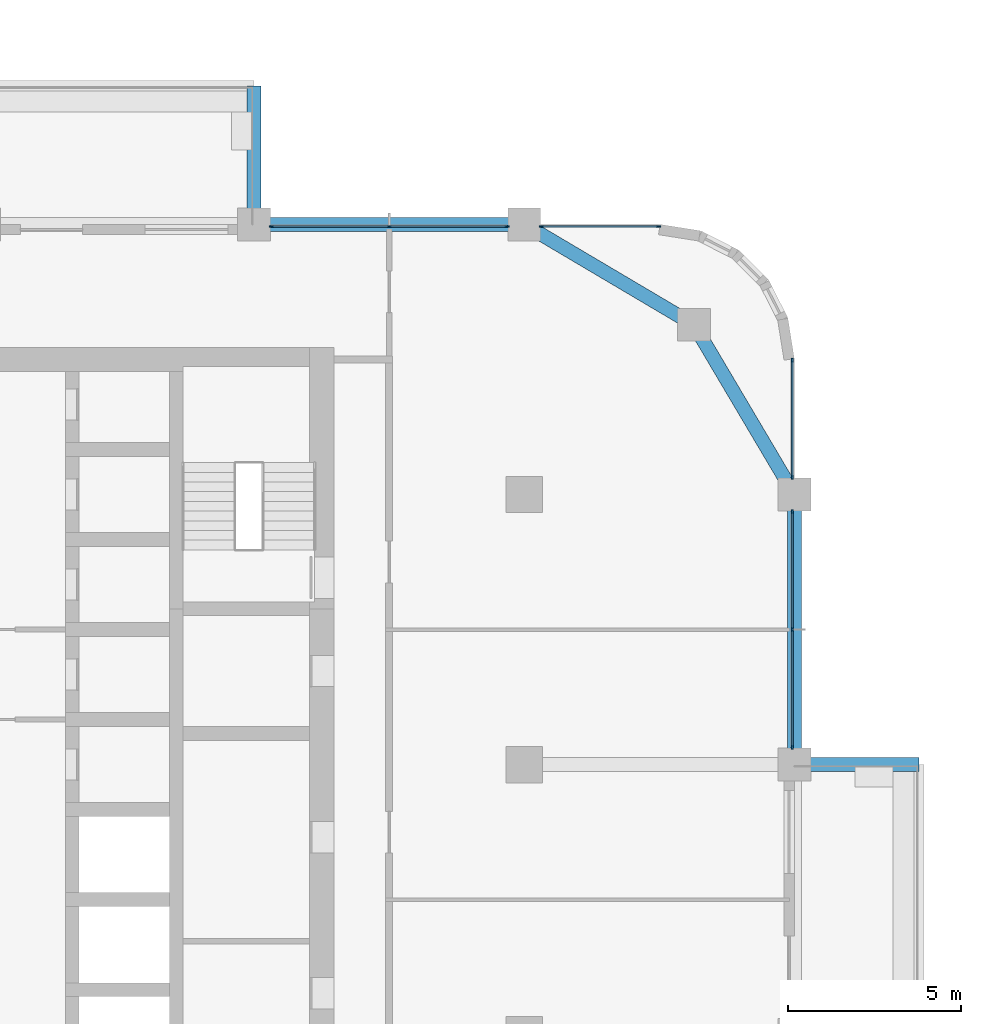
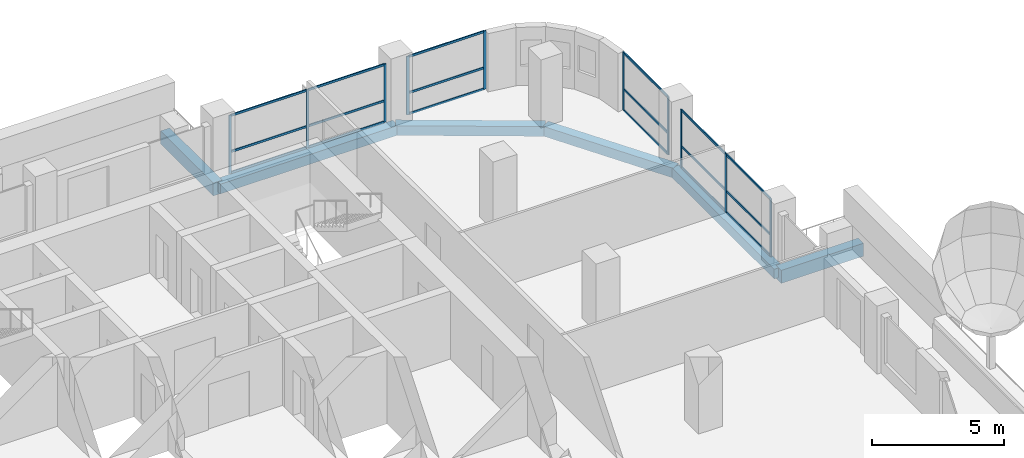
# One storey, part 8 of 21: 28 members, 6 beams, 4 elements without a shape of their own.
"""IFC4 building model written with IfcOpenShell, lengths in metres."""

import ifcopenshell
import ifcopenshell.guid

model = None  # the IFC model being written
_history = None  # IfcOwnerHistory: only IFC2X3 demands one
_inside = {}  # id of a spatial element -> (the spatial element, [elements in it])
_under = {}  # id of a project, library or spatial element -> (it, [spatial elements below it])
_declared = {}  # id of a project -> (the project, [libraries it declares])
_typed = {}  # id of a type object -> (the type object, [elements of that type])
_made_of = {}  # id of a material, layer set ... -> (it, [elements and type objects made of it])


def new_model(schema):
    """Start an empty IFC model of exactly this schema.

    Asked for "IFC4X3", IfcOpenShell would pick the latest addendum, in which some entities
    have other attributes; the version numbers below select the first issue.
    IFC2X3 requires an IfcOwnerHistory on every rooted entity: one is made here for all.
    """
    global model, _history
    if schema == "IFC4X3":
        model = ifcopenshell.file(schema_version=(4, 3, 0, 0))
    else:
        model = ifcopenshell.file(schema=schema)
    _inside.clear()
    _under.clear()
    _declared.clear()
    _typed.clear()
    _made_of.clear()
    _history = None
    if model.schema == "IFC2X3":
        org = make("IfcOrganization", Name="unknown")
        user = make(
            "IfcPersonAndOrganization",
            ThePerson=make("IfcPerson", FamilyName="unknown"),
            TheOrganization=org,
        )
        app = make(
            "IfcApplication",
            ApplicationDeveloper=org,
            Version="unknown",
            ApplicationFullName="unknown",
            ApplicationIdentifier="unknown",
        )
        _history = make(
            "IfcOwnerHistory",
            OwningUser=user,
            OwningApplication=app,
            ChangeAction="ADDED",
            CreationDate=0,
        )
    return model


def make(cls, **values):
    """One entity of the class cls with the attributes given. An attribute that is None is left unset."""
    return model.create_entity(
        cls, **{name: value for name, value in values.items() if value is not None}
    )


def rooted(cls, **values):
    """An entity with a GlobalId (a new one), such as an element, a storey or a relation."""
    return make(cls, GlobalId=ifcopenshell.guid.new(), OwnerHistory=_history, **values)


def si_unit(unit_type, name, prefix=None):
    """IfcSIUnit, for example si_unit("LENGTHUNIT", "METRE", prefix="MILLI")."""
    return make("IfcSIUnit", UnitType=unit_type, Prefix=prefix, Name=name)


def assignment(units):
    """IfcUnitAssignment: the units of a project."""
    return None if units is None else make("IfcUnitAssignment", Units=units)


def point(xyz):
    """IfcCartesianPoint."""
    return None if xyz is None else make("IfcCartesianPoint", Coordinates=xyz)


def direction(xyz):
    """IfcDirection."""
    return None if xyz is None else make("IfcDirection", DirectionRatios=xyz)


def frame(location, z_axis=None, x_axis=None):
    """IfcAxis2Placement3D, a coordinate frame: its origin and axes. An axis left out is left unset."""
    return make(
        "IfcAxis2Placement3D",
        Location=point(location),
        Axis=direction(z_axis),
        RefDirection=direction(x_axis),
    )


def frame_2d(location, x_axis=None):
    """IfcAxis2Placement2D, a coordinate frame in the plane: its origin and x axis."""
    return make(
        "IfcAxis2Placement2D", Location=point(location), RefDirection=direction(x_axis)
    )


def origin():
    """The frame at (0, 0, 0) with its axes left unset."""
    return frame((0.0, 0.0, 0.0))


def origin_2d():
    """The frame at (0, 0) in the plane with its x axis left unset."""
    return frame_2d((0.0, 0.0))


def place(relative_to, where):
    """IfcLocalPlacement: puts the frame where relative to a parent placement (None: the world)."""
    return make(
        "IfcLocalPlacement", PlacementRelTo=relative_to, RelativePlacement=where
    )


def context(
    kind, dimensions, precision=None, world=None, true_north=None, identifier=None
):
    """IfcGeometricRepresentationContext, for example the 3D "Model" context."""
    return make(
        "IfcGeometricRepresentationContext",
        ContextIdentifier=identifier,
        ContextType=kind,
        CoordinateSpaceDimension=dimensions,
        Precision=precision,
        WorldCoordinateSystem=world,
        TrueNorth=true_north,
    )


def subcontext(parent, identifier, kind, view, scale=None):
    """IfcGeometricRepresentationSubContext, for example "Body" below "Model"."""
    return make(
        "IfcGeometricRepresentationSubContext",
        ContextIdentifier=identifier,
        ContextType=kind,
        ParentContext=parent,
        TargetScale=scale,
        TargetView=view,
    )


def project(units=None, contexts=None):
    """IfcProject with its units and contexts."""
    return rooted(
        "IfcProject",
        Name="project",
        RepresentationContexts=contexts,
        UnitsInContext=assignment(units),
    )


def spatial(cls, under=None, at=None, **own):
    """A site, building, storey or space (cls), placed at a placement, below another one or the project."""
    s = rooted(cls, ObjectPlacement=at, **own)
    if under is not None:
        _under.setdefault(under.id(), (under, []))[1].append(s)
    return s


def profile(cls, at=None, kind="AREA", **sizes):
    """A parametric profile (cls). Its sizes go by their IFC names, for example OverallWidth=200.0."""
    return make(cls, ProfileType=kind, Position=at, **sizes)


def rectangle(**sizes):
    """IfcRectangleProfileDef."""
    return profile("IfcRectangleProfileDef", **sizes)


def extrude(swept, where, along, depth):
    """IfcExtrudedAreaSolid: the profile swept, set in the frame where, extruded along a direction by depth."""
    return make(
        "IfcExtrudedAreaSolid",
        SweptArea=swept,
        Position=where,
        ExtrudedDirection=direction(along),
        Depth=depth,
    )


def shape(context_of_items, identifier, shape_type, items):
    """IfcShapeRepresentation: the items that make up one representation, for example the "Body"."""
    return make(
        "IfcShapeRepresentation",
        ContextOfItems=context_of_items,
        RepresentationIdentifier=identifier,
        RepresentationType=shape_type,
        Items=items,
    )


def material(Name=None, Category=None):
    """IfcMaterial."""
    return make("IfcMaterial", Name=Name, Category=Category)


def material_profile(
    of_material, cross_section, Name=None, Category=None, Priority=None
):
    """IfcMaterialProfile: a cross section and its material."""
    return make(
        "IfcMaterialProfile",
        Name=Name,
        Material=of_material,
        Profile=cross_section,
        Priority=Priority,
        Category=Category,
    )


def profile_set(profiles, Name=None, composite=None):
    """IfcMaterialProfileSet."""
    return make(
        "IfcMaterialProfileSet",
        Name=Name,
        MaterialProfiles=profiles,
        CompositeProfile=composite,
    )


def made_of(thing, what):
    """Note that an element or type object is made of a material, layer set ...; save() writes the relation."""
    if what is not None:
        _made_of.setdefault(what.id(), (what, []))[1].append(thing)
    return thing


def type_object(cls, material=None, **own):
    """A type object (cls), such as IfcWallType, which elements share."""
    return made_of(rooted(cls, **own), material)


def element(
    cls,
    number,
    at=None,
    inside=None,
    cuts=None,
    type_object=None,
    material=None,
    context=None,
    identifier="Body",
    shape_type=None,
    held_by="IfcProductDefinitionShape",
    body=None,
    shapes=None,
    **own,
):
    """One element of the class cls, such as IfcWall. Its Tag is "e" and its number.

    at: its placement. inside: the storey or other place that contains it. cuts: it is an
    opening in that element (IfcRelVoidsElement). A single representation is given by context,
    identifier, shape_type and body (its items); several are given by shapes. held_by: the class
    of the entity that holds the representations. save() writes the other relations.
    """
    e = rooted(cls, Tag="e%d" % number, ObjectPlacement=at, **own)
    if body is not None:
        shapes = [shape(context, identifier, shape_type, body)]
    if shapes is not None:
        e.Representation = make(held_by, Representations=shapes)
    if inside is not None:
        _inside.setdefault(inside.id(), (inside, []))[1].append(e)
    if cuts is not None:
        rooted(
            "IfcRelVoidsElement", RelatingBuildingElement=cuts, RelatedOpeningElement=e
        )
    if type_object is not None:
        _typed.setdefault(type_object.id(), (type_object, []))[1].append(e)
    return made_of(e, material)


def aggregate(whole, parts):
    """IfcRelAggregates: a whole, such as a stair, and the parts it consists of."""
    return rooted("IfcRelAggregates", RelatingObject=whole, RelatedObjects=parts)


def save(model, path):
    """Write the relations noted so far, then the file.

    IfcRelAggregates (storeys below a building ...), IfcRelContainedInSpatialStructure (elements
    in a storey), IfcRelDefinesByType, IfcRelAssociatesMaterial and IfcRelDeclares: one each for
    every whole, place, type object, material and project.
    """
    for whole, parts in _under.values():
        aggregate(whole, parts)
    for where, things in _inside.values():
        rooted(
            "IfcRelContainedInSpatialStructure",
            RelatedElements=things,
            RelatingStructure=where,
        )
    for kind, things in _typed.values():
        rooted("IfcRelDefinesByType", RelatedObjects=things, RelatingType=kind)
    for what, things in _made_of.values():
        rooted("IfcRelAssociatesMaterial", RelatedObjects=things, RelatingMaterial=what)
    for by, libraries in _declared.values():
        rooted("IfcRelDeclares", RelatingContext=by, RelatedDefinitions=libraries)
    model.write(path)


model = new_model("IFC4")

# Units and contexts
model_context = context("Model", 3, precision=1e-05, world=origin(), true_north=direction((0.0, 1.0)))
body_context = subcontext(model_context, "Body", "Model", "MODEL_VIEW")
ifc_project = project(units=[si_unit("LENGTHUNIT", "METRE"), si_unit("AREAUNIT", "SQUARE_METRE"), si_unit("VOLUMEUNIT", "CUBIC_METRE"), si_unit("PLANEANGLEUNIT", "RADIAN"), si_unit("MASSUNIT", "GRAM", prefix="KILO")], contexts=[model_context])

# Site, building, storey
site_placement = place(None, origin())
site = spatial("IfcSite", under=ifc_project, at=site_placement, CompositionType="ELEMENT")
building_placement = place(site_placement, origin())
building = spatial("IfcBuilding", under=site, at=building_placement, Name="Ludao Terraces", CompositionType="ELEMENT")
storey_placement = place(building_placement, frame((0.0, 0.0, 71.60009765625)))
storey = spatial("IfcBuildingStorey", under=building, at=storey_placement, Name="L19", CompositionType="ELEMENT", Elevation=71.60009765625)

# Curtain wall, members
ifc_material_1 = material(Name="Aluminium curtain wall with fritted glass", Category="aluminium")
curtain_wall_type = type_object("IfcCurtainWallType", Name="ENV CW3 community glazing", PredefinedType="NOTDEFINED", material=ifc_material_1)
curtain_wall_1_placement = place(storey_placement, origin())
curtain_wall_1 = element("IfcCurtainWall", 1, at=curtain_wall_1_placement, inside=storey, type_object=curtain_wall_type, Name="Community floor glazing L19 E5", PredefinedType="NOTDEFINED")
ifc_material_2 = material(Name="Aluminium 6063-T6", Category="aluminium")
ifc_material_profile_1 = material_profile(ifc_material_2, rectangle(XDim=0.050048828125, YDim=0.1201171875, at=origin_2d()), Name="50 X 120")
ifc_profile_set_1 = profile_set([ifc_material_profile_1], Name="Aluminium 6063-T6")
member_type_1 = type_object("IfcMemberType", Name="ENV CW3 mullion 50x120", PredefinedType="MULLION", material=ifc_profile_set_1)
member_1_placement = place(storey_placement, frame((108.340087890625, 73.300048828125, 0.0), z_axis=(0.0, 0.0, 1.0), x_axis=(-1.0, 0.0, 0.0)))
member_1 = element("IfcMember", 2, at=member_1_placement, type_object=member_type_1, Name="CW3 mullion 1", PredefinedType="MULLION", context=body_context, shape_type="SweptSolid", body=[
    extrude(rectangle(XDim=0.050048828125, YDim=0.1201171875, at=origin_2d()), origin(), (0.0, 0.0, 1.0), 2.699951171875),
])
member_2_placement = place(storey_placement, frame((108.340087890625, 76.699951171875, 0.0), z_axis=(0.0, 0.0, 1.0), x_axis=(-1.0, 0.0, 0.0)))
member_2 = element("IfcMember", 3, at=member_2_placement, type_object=member_type_1, Name="CW3 mullion 2", PredefinedType="MULLION", context=body_context, shape_type="SweptSolid", body=[
    extrude(rectangle(XDim=0.050048828125, YDim=0.1201171875, at=origin_2d()), origin(), (0.0, 0.0, 1.0), 2.699951171875),
])
member_3_placement = place(storey_placement, frame((108.340087890625, 80.10009765625, 0.0), z_axis=(0.0, 0.0, 1.0), x_axis=(-1.0, 0.0, 0.0)))
member_3 = element("IfcMember", 4, at=member_3_placement, type_object=member_type_1, Name="CW3 mullion 3", PredefinedType="MULLION", context=body_context, shape_type="SweptSolid", body=[
    extrude(rectangle(XDim=0.050048828125, YDim=0.1201171875, at=origin_2d()), origin(), (0.0, 0.0, 1.0), 2.699951171875),
])

curtain_wall_2_placement = place(storey_placement, origin())
curtain_wall_2 = element("IfcCurtainWall", 5, at=curtain_wall_2_placement, inside=storey, type_object=curtain_wall_type, Name="Community floor glazing L19 E6", PredefinedType="NOTDEFINED")
member_4_placement = place(storey_placement, frame((108.340087890625, 81.10009765625, 0.0), z_axis=(0.0, 0.0, 1.0), x_axis=(-1.0, 0.0, 0.0)))
member_4 = element("IfcMember", 6, at=member_4_placement, type_object=member_type_1, Name="CW3 mullion 1", PredefinedType="MULLION", context=body_context, shape_type="SweptSolid", body=[
    extrude(rectangle(XDim=0.050048828125, YDim=0.1201171875, at=origin_2d()), origin(), (0.0, 0.0, 1.0), 2.699951171875),
])
member_5_placement = place(storey_placement, frame((108.340087890625, 84.47509765625, 0.0), z_axis=(0.0, 0.0, 1.0), x_axis=(-1.0, 0.0, 0.0)))
member_5 = element("IfcMember", 7, at=member_5_placement, type_object=member_type_1, Name="CW3 mullion 2", PredefinedType="MULLION", context=body_context, shape_type="SweptSolid", body=[
    extrude(rectangle(XDim=0.050048828125, YDim=0.1201171875, at=origin_2d()), origin(), (0.0, 0.0, 1.0), 2.699951171875),
])

curtain_wall_3_placement = place(storey_placement, origin())
curtain_wall_3 = element("IfcCurtainWall", 8, at=curtain_wall_3_placement, inside=storey, type_object=curtain_wall_type, Name="Community floor glazing L19 N5", PredefinedType="NOTDEFINED")
member_6_placement = place(storey_placement, frame((93.300048828125, 88.340087890625, 0.0), z_axis=(0.0, 0.0, 1.0), x_axis=(0.0, 1.0, 0.0)))
member_6 = element("IfcMember", 9, at=member_6_placement, type_object=member_type_1, Name="CW3 mullion 1", PredefinedType="MULLION", context=body_context, shape_type="SweptSolid", body=[
    extrude(rectangle(XDim=0.050048828125, YDim=0.1201171875, at=origin_2d()), origin(), (0.0, 0.0, 1.0), 2.699951171875),
])
member_7_placement = place(storey_placement, frame((96.699951171875, 88.340087890625, 0.0), z_axis=(0.0, 0.0, 1.0), x_axis=(0.0, 1.0, 0.0)))
member_7 = element("IfcMember", 10, at=member_7_placement, type_object=member_type_1, Name="CW3 mullion 2", PredefinedType="MULLION", context=body_context, shape_type="SweptSolid", body=[
    extrude(rectangle(XDim=0.050048828125, YDim=0.1201171875, at=origin_2d()), origin(), (0.0, 0.0, 1.0), 2.699951171875),
])
member_8_placement = place(storey_placement, frame((100.10009765625, 88.340087890625, 0.0), z_axis=(0.0, 0.0, 1.0), x_axis=(0.0, 1.0, 0.0)))
member_8 = element("IfcMember", 11, at=member_8_placement, type_object=member_type_1, Name="CW3 mullion 3", PredefinedType="MULLION", context=body_context, shape_type="SweptSolid", body=[
    extrude(rectangle(XDim=0.050048828125, YDim=0.1201171875, at=origin_2d()), origin(), (0.0, 0.0, 1.0), 2.699951171875),
])

curtain_wall_4_placement = place(storey_placement, origin())
curtain_wall_4 = element("IfcCurtainWall", 12, at=curtain_wall_4_placement, inside=storey, type_object=curtain_wall_type, Name="Community floor glazing L19 N6", PredefinedType="NOTDEFINED")
member_9_placement = place(storey_placement, frame((101.10009765625, 88.340087890625, 0.0), z_axis=(0.0, 0.0, 1.0), x_axis=(0.0, 1.0, 0.0)))
member_9 = element("IfcMember", 13, at=member_9_placement, type_object=member_type_1, Name="CW3 mullion 1", PredefinedType="MULLION", context=body_context, shape_type="SweptSolid", body=[
    extrude(rectangle(XDim=0.050048828125, YDim=0.1201171875, at=origin_2d()), origin(), (0.0, 0.0, 1.0), 2.699951171875),
])
member_10_placement = place(storey_placement, frame((104.47509765625, 88.340087890625, 0.0), z_axis=(0.0, 0.0, 1.0), x_axis=(0.0, 1.0, 0.0)))
member_10 = element("IfcMember", 14, at=member_10_placement, type_object=member_type_1, Name="CW3 mullion 2", PredefinedType="MULLION", context=body_context, shape_type="SweptSolid", body=[
    extrude(rectangle(XDim=0.050048828125, YDim=0.1201171875, at=origin_2d()), origin(), (0.0, 0.0, 1.0), 2.699951171875),
])

# Member
ifc_material_profile_2 = material_profile(ifc_material_2, rectangle(XDim=0.050048828125, YDim=0.10009765625, at=origin_2d()), Name="50 X 100")
ifc_profile_set_2 = profile_set([ifc_material_profile_2], Name="Aluminium 6063-T6")
member_type_2 = type_object("IfcMemberType", Name="ENV CW3 transom 50x100", PredefinedType="USERDEFINED", material=ifc_profile_set_2)
member_11_placement = place(storey_placement, frame((108.340087890625, 73.324951171875, 0.02490234375), z_axis=(0.0, 1.0, 0.0), x_axis=(-1.0, 0.0, 0.0)))
member_11 = element("IfcMember", 15, at=member_11_placement, type_object=member_type_2, Name="CW3 transom 1.1", ObjectType="TRANSOM", PredefinedType="USERDEFINED", context=body_context, shape_type="SweptSolid", body=[
    extrude(rectangle(XDim=0.050048828125, YDim=0.10009765625, at=origin_2d()), origin(), (0.0, 0.0, 1.0), 3.35009765625),
])

member_12_placement = place(storey_placement, frame((108.340087890625, 73.324951171875, 1.0), z_axis=(0.0, 1.0, 0.0), x_axis=(-1.0, 0.0, 0.0)))
member_12 = element("IfcMember", 16, at=member_12_placement, type_object=member_type_2, Name="CW3 transom 1.2", ObjectType="TRANSOM", PredefinedType="USERDEFINED", context=body_context, shape_type="SweptSolid", body=[
    extrude(rectangle(XDim=0.050048828125, YDim=0.10009765625, at=origin_2d()), origin(), (0.0, 0.0, 1.0), 3.35009765625),
])

member_13_placement = place(storey_placement, frame((108.340087890625, 73.324951171875, 2.6748046875), z_axis=(0.0, 1.0, 0.0), x_axis=(-1.0, 0.0, 0.0)))
member_13 = element("IfcMember", 17, at=member_13_placement, type_object=member_type_2, Name="CW3 transom 1.3", ObjectType="TRANSOM", PredefinedType="USERDEFINED", context=body_context, shape_type="SweptSolid", body=[
    extrude(rectangle(XDim=0.050048828125, YDim=0.10009765625, at=origin_2d()), origin(), (0.0, 0.0, 1.0), 3.35009765625),
])

member_14_placement = place(storey_placement, frame((108.340087890625, 76.72509765625, 0.02490234375), z_axis=(0.0, 1.0, 0.0), x_axis=(-1.0, 0.0, 0.0)))
member_14 = element("IfcMember", 18, at=member_14_placement, type_object=member_type_2, Name="CW3 transom 2.1", ObjectType="TRANSOM", PredefinedType="USERDEFINED", context=body_context, shape_type="SweptSolid", body=[
    extrude(rectangle(XDim=0.050048828125, YDim=0.10009765625, at=origin_2d()), origin(), (0.0, 0.0, 1.0), 3.349853515625),
])

member_15_placement = place(storey_placement, frame((108.340087890625, 76.72509765625, 1.0), z_axis=(0.0, 1.0, 0.0), x_axis=(-1.0, 0.0, 0.0)))
member_15 = element("IfcMember", 19, at=member_15_placement, type_object=member_type_2, Name="CW3 transom 2.2", ObjectType="TRANSOM", PredefinedType="USERDEFINED", context=body_context, shape_type="SweptSolid", body=[
    extrude(rectangle(XDim=0.050048828125, YDim=0.10009765625, at=origin_2d()), origin(), (0.0, 0.0, 1.0), 3.349853515625),
])

member_16_placement = place(storey_placement, frame((108.340087890625, 76.72509765625, 2.6748046875), z_axis=(0.0, 1.0, 0.0), x_axis=(-1.0, 0.0, 0.0)))
member_16 = element("IfcMember", 20, at=member_16_placement, type_object=member_type_2, Name="CW3 transom 2.3", ObjectType="TRANSOM", PredefinedType="USERDEFINED", context=body_context, shape_type="SweptSolid", body=[
    extrude(rectangle(XDim=0.050048828125, YDim=0.10009765625, at=origin_2d()), origin(), (0.0, 0.0, 1.0), 3.349853515625),
])

aggregate(curtain_wall_1, [member_1, member_2, member_3, member_11, member_12, member_13, member_14, member_15, member_16])

member_17_placement = place(storey_placement, frame((108.340087890625, 81.125, 0.02490234375), z_axis=(0.0, 1.0, 0.0), x_axis=(-1.0, 0.0, 0.0)))
member_17 = element("IfcMember", 21, at=member_17_placement, type_object=member_type_2, Name="CW3 transom 1.1", ObjectType="TRANSOM", PredefinedType="USERDEFINED", context=body_context, shape_type="SweptSolid", body=[
    extrude(rectangle(XDim=0.050048828125, YDim=0.10009765625, at=origin_2d()), origin(), (0.0, 0.0, 1.0), 3.324951171875),
])

member_18_placement = place(storey_placement, frame((108.340087890625, 81.125, 1.0), z_axis=(0.0, 1.0, 0.0), x_axis=(-1.0, 0.0, 0.0)))
member_18 = element("IfcMember", 22, at=member_18_placement, type_object=member_type_2, Name="CW3 transom 1.2", ObjectType="TRANSOM", PredefinedType="USERDEFINED", context=body_context, shape_type="SweptSolid", body=[
    extrude(rectangle(XDim=0.050048828125, YDim=0.10009765625, at=origin_2d()), origin(), (0.0, 0.0, 1.0), 3.324951171875),
])

member_19_placement = place(storey_placement, frame((108.340087890625, 81.125, 2.6748046875), z_axis=(0.0, 1.0, 0.0), x_axis=(-1.0, 0.0, 0.0)))
member_19 = element("IfcMember", 23, at=member_19_placement, type_object=member_type_2, Name="CW3 transom 1.3", ObjectType="TRANSOM", PredefinedType="USERDEFINED", context=body_context, shape_type="SweptSolid", body=[
    extrude(rectangle(XDim=0.050048828125, YDim=0.10009765625, at=origin_2d()), origin(), (0.0, 0.0, 1.0), 3.324951171875),
])

aggregate(curtain_wall_2, [member_4, member_5, member_17, member_18, member_19])

member_20_placement = place(storey_placement, frame((93.324951171875, 88.340087890625, 0.02490234375), z_axis=(1.0, 0.0, 0.0), x_axis=(0.0, 1.0, 0.0)))
member_20 = element("IfcMember", 24, at=member_20_placement, type_object=member_type_2, Name="CW3 transom 1.1", ObjectType="TRANSOM", PredefinedType="USERDEFINED", context=body_context, shape_type="SweptSolid", body=[
    extrude(rectangle(XDim=0.050048828125, YDim=0.10009765625, at=origin_2d()), origin(), (0.0, 0.0, 1.0), 3.35009765625),
])

member_21_placement = place(storey_placement, frame((93.324951171875, 88.340087890625, 1.0), z_axis=(1.0, 0.0, 0.0), x_axis=(0.0, 1.0, 0.0)))
member_21 = element("IfcMember", 25, at=member_21_placement, type_object=member_type_2, Name="CW3 transom 1.2", ObjectType="TRANSOM", PredefinedType="USERDEFINED", context=body_context, shape_type="SweptSolid", body=[
    extrude(rectangle(XDim=0.050048828125, YDim=0.10009765625, at=origin_2d()), origin(), (0.0, 0.0, 1.0), 3.35009765625),
])

member_22_placement = place(storey_placement, frame((93.324951171875, 88.340087890625, 2.6748046875), z_axis=(1.0, 0.0, 0.0), x_axis=(0.0, 1.0, 0.0)))
member_22 = element("IfcMember", 26, at=member_22_placement, type_object=member_type_2, Name="CW3 transom 1.3", ObjectType="TRANSOM", PredefinedType="USERDEFINED", context=body_context, shape_type="SweptSolid", body=[
    extrude(rectangle(XDim=0.050048828125, YDim=0.10009765625, at=origin_2d()), origin(), (0.0, 0.0, 1.0), 3.35009765625),
])

member_23_placement = place(storey_placement, frame((96.72509765625, 88.340087890625, 0.02490234375), z_axis=(1.0, 0.0, 0.0), x_axis=(0.0, 1.0, 0.0)))
member_23 = element("IfcMember", 27, at=member_23_placement, type_object=member_type_2, Name="CW3 transom 2.1", ObjectType="TRANSOM", PredefinedType="USERDEFINED", context=body_context, shape_type="SweptSolid", body=[
    extrude(rectangle(XDim=0.050048828125, YDim=0.10009765625, at=origin_2d()), origin(), (0.0, 0.0, 1.0), 3.349853515625),
])

member_24_placement = place(storey_placement, frame((96.72509765625, 88.340087890625, 1.0), z_axis=(1.0, 0.0, 0.0), x_axis=(0.0, 1.0, 0.0)))
member_24 = element("IfcMember", 28, at=member_24_placement, type_object=member_type_2, Name="CW3 transom 2.2", ObjectType="TRANSOM", PredefinedType="USERDEFINED", context=body_context, shape_type="SweptSolid", body=[
    extrude(rectangle(XDim=0.050048828125, YDim=0.10009765625, at=origin_2d()), origin(), (0.0, 0.0, 1.0), 3.349853515625),
])

member_25_placement = place(storey_placement, frame((96.72509765625, 88.340087890625, 2.6748046875), z_axis=(1.0, 0.0, 0.0), x_axis=(0.0, 1.0, 0.0)))
member_25 = element("IfcMember", 29, at=member_25_placement, type_object=member_type_2, Name="CW3 transom 2.3", ObjectType="TRANSOM", PredefinedType="USERDEFINED", context=body_context, shape_type="SweptSolid", body=[
    extrude(rectangle(XDim=0.050048828125, YDim=0.10009765625, at=origin_2d()), origin(), (0.0, 0.0, 1.0), 3.349853515625),
])

aggregate(curtain_wall_3, [member_6, member_7, member_8, member_20, member_21, member_22, member_23, member_24, member_25])

member_26_placement = place(storey_placement, frame((101.125, 88.340087890625, 0.02490234375), z_axis=(1.0, 0.0, 0.0), x_axis=(0.0, 1.0, 0.0)))
member_26 = element("IfcMember", 30, at=member_26_placement, type_object=member_type_2, Name="CW3 transom 1.1", ObjectType="TRANSOM", PredefinedType="USERDEFINED", context=body_context, shape_type="SweptSolid", body=[
    extrude(rectangle(XDim=0.050048828125, YDim=0.10009765625, at=origin_2d()), origin(), (0.0, 0.0, 1.0), 3.324951171875),
])

member_27_placement = place(storey_placement, frame((101.125, 88.340087890625, 1.0), z_axis=(1.0, 0.0, 0.0), x_axis=(0.0, 1.0, 0.0)))
member_27 = element("IfcMember", 31, at=member_27_placement, type_object=member_type_2, Name="CW3 transom 1.2", ObjectType="TRANSOM", PredefinedType="USERDEFINED", context=body_context, shape_type="SweptSolid", body=[
    extrude(rectangle(XDim=0.050048828125, YDim=0.10009765625, at=origin_2d()), origin(), (0.0, 0.0, 1.0), 3.324951171875),
])

member_28_placement = place(storey_placement, frame((101.125, 88.340087890625, 2.6748046875), z_axis=(1.0, 0.0, 0.0), x_axis=(0.0, 1.0, 0.0)))
member_28 = element("IfcMember", 32, at=member_28_placement, type_object=member_type_2, Name="CW3 transom 1.3", ObjectType="TRANSOM", PredefinedType="USERDEFINED", context=body_context, shape_type="SweptSolid", body=[
    extrude(rectangle(XDim=0.050048828125, YDim=0.10009765625, at=origin_2d()), origin(), (0.0, 0.0, 1.0), 3.324951171875),
])

aggregate(curtain_wall_4, [member_9, member_10, member_26, member_27, member_28])

# Beams
ifc_material_3 = material(Name="Concrete C40", Category="concrete")
ifc_material_profile_3 = material_profile(ifc_material_3, rectangle(XDim=0.39990234375, YDim=0.449951171875, at=origin_2d()), Name="400 X 450")
ifc_profile_set_3 = profile_set([ifc_material_profile_3], Name="Concrete C40")
beam_type_1 = type_object("IfcBeamType", Name="RC beam 400x450 C40", PredefinedType="BEAM", material=ifc_profile_set_3)
beam_1_placement = place(storey_placement, frame((92.800048828125, 88.39990234375, -0.47509765625), z_axis=(1.0, 0.0, 0.0), x_axis=(0.0, 1.0, 0.0)))
element("IfcBeam", 33, at=beam_1_placement, inside=storey, type_object=beam_type_1, Name="Spandrel beam L19 N11", PredefinedType="BEAM", context=body_context, shape_type="SweptSolid", body=[
    extrude(rectangle(XDim=0.39990234375, YDim=0.449951171875, at=origin_2d()), origin(), (0.0, 0.0, 1.0), 7.800048828125),
])
beam_2_placement = place(storey_placement, frame((100.60009765625, 88.39990234375, -0.47509765625), z_axis=(0.860579751256, -0.509315709288, 0.0), x_axis=(0.509315709288, 0.860579751256, 0.0)))
element("IfcBeam", 34, at=beam_2_placement, inside=storey, type_object=beam_type_1, Name="Spandrel beam L19 N12", PredefinedType="BEAM", context=body_context, shape_type="SweptSolid", body=[
    extrude(rectangle(XDim=0.39990234375, YDim=0.449951171875, at=origin_2d()), origin(), (0.0, 0.0, 1.0), 5.693603515625),
])
beam_3_placement = place(storey_placement, frame((108.39990234375, 72.800048828125, -0.47509765625), z_axis=(0.0, 1.0, 0.0), x_axis=(-1.0, 0.0, 0.0)))
element("IfcBeam", 35, at=beam_3_placement, inside=storey, type_object=beam_type_1, Name="Spandrel beam L19 E23", PredefinedType="BEAM", context=body_context, shape_type="SweptSolid", body=[
    extrude(rectangle(XDim=0.39990234375, YDim=0.449951171875, at=origin_2d()), origin(), (0.0, 0.0, 1.0), 7.800048828125),
])
beam_4_placement = place(storey_placement, frame((108.39990234375, 80.60009765625, -0.47509765625), z_axis=(-0.509315709288, 0.860579751256, 0.0), x_axis=(-0.860579751256, -0.509315709288, 0.0)))
element("IfcBeam", 36, at=beam_4_placement, inside=storey, type_object=beam_type_1, Name="Spandrel beam L19 E24", PredefinedType="BEAM", context=body_context, shape_type="SweptSolid", body=[
    extrude(rectangle(XDim=0.39990234375, YDim=0.449951171875, at=origin_2d()), origin(), (0.0, 0.0, 1.0), 5.693603515625),
])
ifc_material_profile_4 = material_profile(ifc_material_3, rectangle(XDim=0.39990234375, YDim=0.60009765625, at=origin_2d()), Name="400 X 600")
ifc_profile_set_4 = profile_set([ifc_material_profile_4], Name="Concrete C40")
beam_type_2 = type_object("IfcBeamType", Name="RC beam 400x600 C40", PredefinedType="BEAM", material=ifc_profile_set_4)
beam_5_placement = place(storey_placement, frame((108.39990234375, 72.800048828125, -0.550048828125), z_axis=(1.0, 0.0, 0.0), x_axis=(0.0, 1.0, 0.0)))
element("IfcBeam", 37, at=beam_5_placement, inside=storey, type_object=beam_type_2, Name="Balcony beam L19 E728", PredefinedType="BEAM", context=body_context, shape_type="SweptSolid", body=[
    extrude(rectangle(XDim=0.39990234375, YDim=0.60009765625, at=origin_2d()), origin(), (0.0, 0.0, 1.0), 3.60009765625),
])
beam_6_placement = place(storey_placement, frame((92.800048828125, 88.39990234375, -0.550048828125), z_axis=(0.0, 1.0, 0.0), x_axis=(-1.0, 0.0, 0.0)))
element("IfcBeam", 38, at=beam_6_placement, inside=storey, type_object=beam_type_2, Name="Balcony beam L19 N928", PredefinedType="BEAM", context=body_context, shape_type="SweptSolid", body=[
    extrude(rectangle(XDim=0.39990234375, YDim=0.60009765625, at=origin_2d()), origin(), (0.0, 0.0, 1.0), 4.0),
])

save(model, "model.ifc")
